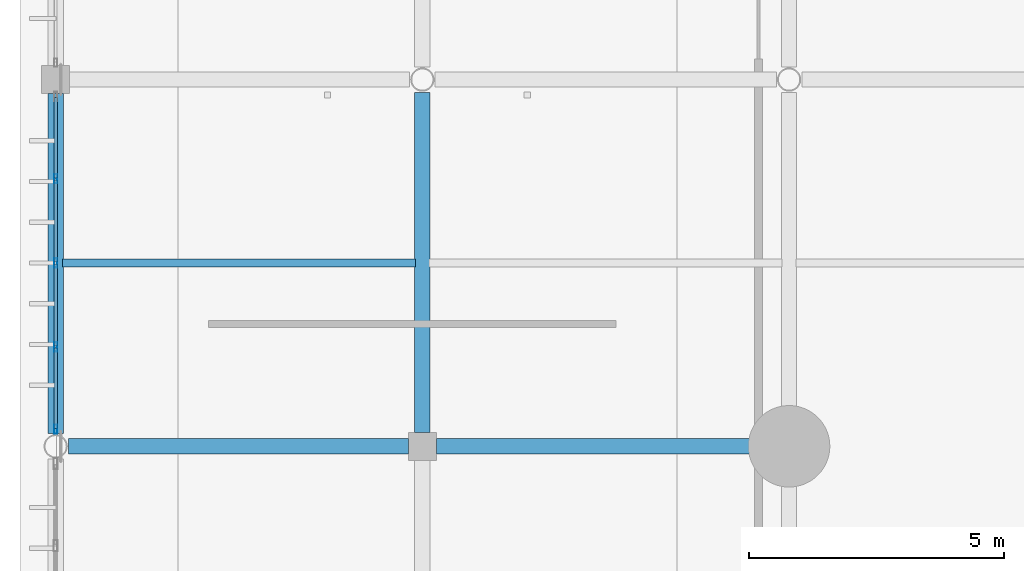
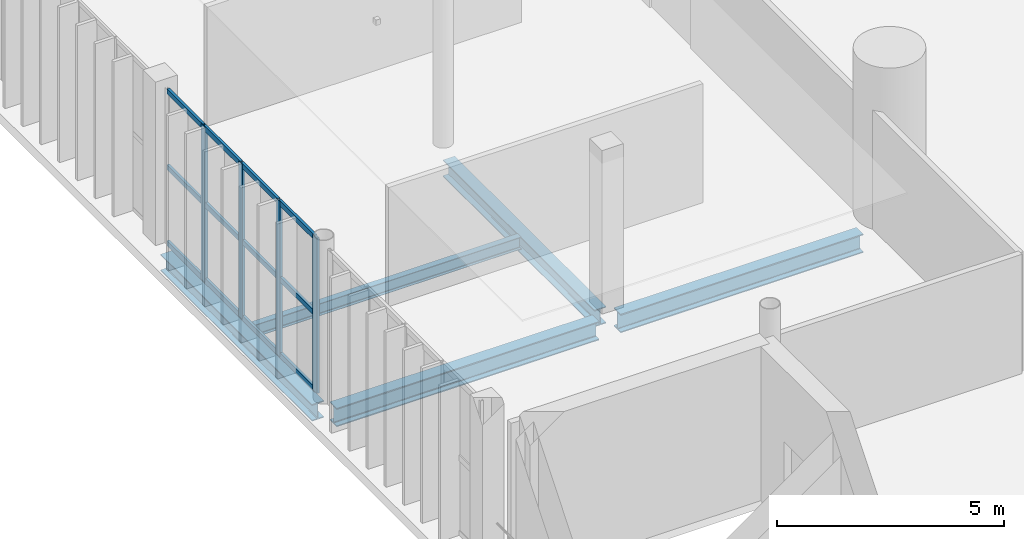
# One storey, part 25 of 81: 16 members, 5 beams, 1 element without a shape of its own.
"""IFC4 building model written with IfcOpenShell, lengths in metres."""

from ifc_helpers import new_model, si_unit, direction, frame, origin, origin_2d, place, context, subcontext, project, spatial, hollow_rectangle, i_section, extrude, material, material_profile, profile_set, type_object, element, aggregate, save


model = new_model("IFC4")

# Units and contexts
model_context = context("Model", 3, precision=1e-05, world=origin(), true_north=direction((0.0, 1.0)))
body_context = subcontext(model_context, "Body", "Model", "MODEL_VIEW")
ifc_project = project(units=[si_unit("LENGTHUNIT", "METRE"), si_unit("AREAUNIT", "SQUARE_METRE"), si_unit("VOLUMEUNIT", "CUBIC_METRE"), si_unit("PLANEANGLEUNIT", "RADIAN"), si_unit("MASSUNIT", "GRAM", prefix="KILO")], contexts=[model_context])

# Site, building, storey
site_placement = place(None, origin())
site = spatial("IfcSite", under=ifc_project, at=site_placement, CompositionType="ELEMENT")
building_placement = place(site_placement, origin())
building = spatial("IfcBuilding", under=site, at=building_placement, Name="Qandorah Velis Arena", CompositionType="ELEMENT")
storey_placement = place(building_placement, frame((0.0, 0.0, 18.60009765625)))
storey = spatial("IfcBuildingStorey", under=building, at=storey_placement, Name="L04", CompositionType="ELEMENT", Elevation=18.60009765625)

# Curtain wall, members
ifc_material_1 = material(Name="Solar-control low-E double glazing", Category="glass")
curtain_wall_type = type_object("IfcCurtainWallType", Name="ARC-CW-SYS10", PredefinedType="USERDEFINED", material=ifc_material_1)
curtain_wall_placement = place(storey_placement, origin())
curtain_wall = element("IfcCurtainWall", 1, at=curtain_wall_placement, inside=storey, type_object=curtain_wall_type, Name="Unitised curtain wall L04-034", ObjectType="UNITISED CURTAIN WALL", PredefinedType="USERDEFINED")
ifc_material_2 = material(Name="Champagne-bronze anodized aluminium 6063-T6", Category="aluminium")
ifc_material_profile_1 = material_profile(ifc_material_2, hollow_rectangle(XDim=0.06494140625, YDim=0.179931640625, WallThickness=0.00341796875, at=origin_2d()), Name="ALU MULLION 65x180")
ifc_profile_set_1 = profile_set([ifc_material_profile_1], Name="Champagne-bronze anodized aluminium 6063-T6")
member_type_1 = type_object("IfcMemberType", Name="ARC-CWM-180", PredefinedType="MULLION", material=ifc_profile_set_1)
member_1_placement = place(storey_placement, frame((0.0, 57.9326171875, -0.01513671875), z_axis=(0.0, 0.0, 1.0), x_axis=(-1.0, 0.0, 0.0)))
member_1 = element("IfcMember", 2, at=member_1_placement, type_object=member_type_1, Name="CW10 mullion 1", PredefinedType="MULLION", context=body_context, shape_type="SweptSolid", body=[
    extrude(hollow_rectangle(XDim=0.06494140625, YDim=0.179931640625, WallThickness=0.00341796875, at=origin_2d()), origin(), (0.0, 0.0, 1.0), 4.179931640625),
])
member_2_placement = place(storey_placement, frame((0.0, 59.550048828125, -0.01513671875), z_axis=(0.0, 0.0, 1.0), x_axis=(-1.0, 0.0, 0.0)))
member_2 = element("IfcMember", 3, at=member_2_placement, type_object=member_type_1, Name="CW10 mullion 2", PredefinedType="MULLION", context=body_context, shape_type="SweptSolid", body=[
    extrude(hollow_rectangle(XDim=0.06494140625, YDim=0.179931640625, WallThickness=0.00341796875, at=origin_2d()), origin(), (0.0, 0.0, 1.0), 4.179931640625),
])
member_3_placement = place(storey_placement, frame((0.0, 61.199951171875, -0.01513671875), z_axis=(0.0, 0.0, 1.0), x_axis=(-1.0, 0.0, 0.0)))
member_3 = element("IfcMember", 4, at=member_3_placement, type_object=member_type_1, Name="CW10 mullion 3", PredefinedType="MULLION", context=body_context, shape_type="SweptSolid", body=[
    extrude(hollow_rectangle(XDim=0.06494140625, YDim=0.179931640625, WallThickness=0.00341796875, at=origin_2d()), origin(), (0.0, 0.0, 1.0), 4.179931640625),
])
member_4_placement = place(storey_placement, frame((0.0, 62.85009765625, -0.01513671875), z_axis=(0.0, 0.0, 1.0), x_axis=(-1.0, 0.0, 0.0)))
member_4 = element("IfcMember", 5, at=member_4_placement, type_object=member_type_1, Name="CW10 mullion 4", PredefinedType="MULLION", context=body_context, shape_type="SweptSolid", body=[
    extrude(hollow_rectangle(XDim=0.06494140625, YDim=0.179931640625, WallThickness=0.00341796875, at=origin_2d()), origin(), (0.0, 0.0, 1.0), 4.179931640625),
])
ifc_material_profile_2 = material_profile(ifc_material_2, hollow_rectangle(XDim=0.06494140625, YDim=0.139892578125, WallThickness=0.0029296875, at=origin_2d()), Name="ALU TRANSOM 65x140")
ifc_profile_set_2 = profile_set([ifc_material_profile_2], Name="Champagne-bronze anodized aluminium 6063-T6")
member_type_2 = type_object("IfcMemberType", Name="ARC-CWT-140", PredefinedType="USERDEFINED", material=ifc_profile_set_2)
member_5_placement = place(storey_placement, frame((0.0, 57.952880859375, 0.032470703125), z_axis=(0.0, 1.0, 0.0), x_axis=(-1.0, 0.0, 0.0)))
member_5 = element("IfcMember", 6, at=member_5_placement, type_object=member_type_2, Name="CW10 transom 1.1", ObjectType="TRANSOM", PredefinedType="USERDEFINED", context=body_context, shape_type="SweptSolid", body=[
    extrude(hollow_rectangle(XDim=0.06494140625, YDim=0.139892578125, WallThickness=0.0029296875, at=origin_2d()), origin(), (0.0, 0.0, 1.0), 1.57666015625),
])
member_6_placement = place(storey_placement, frame((0.0, 57.952880859375, 2.074951171875), z_axis=(0.0, 1.0, 0.0), x_axis=(-1.0, 0.0, 0.0)))
member_6 = element("IfcMember", 7, at=member_6_placement, type_object=member_type_2, Name="CW10 transom 1.2", ObjectType="TRANSOM", PredefinedType="USERDEFINED", context=body_context, shape_type="SweptSolid", body=[
    extrude(hollow_rectangle(XDim=0.06494140625, YDim=0.139892578125, WallThickness=0.0029296875, at=origin_2d()), origin(), (0.0, 0.0, 1.0), 1.57666015625),
])
member_7_placement = place(storey_placement, frame((0.0, 57.952880859375, 4.117431640625), z_axis=(0.0, 1.0, 0.0), x_axis=(-1.0, 0.0, 0.0)))
member_7 = element("IfcMember", 8, at=member_7_placement, type_object=member_type_2, Name="CW10 transom 1.3", ObjectType="TRANSOM", PredefinedType="USERDEFINED", context=body_context, shape_type="SweptSolid", body=[
    extrude(hollow_rectangle(XDim=0.06494140625, YDim=0.139892578125, WallThickness=0.0029296875, at=origin_2d()), origin(), (0.0, 0.0, 1.0), 1.57666015625),
])
member_8_placement = place(storey_placement, frame((0.0, 59.570556640625, 0.032470703125), z_axis=(0.0, 1.0, 0.0), x_axis=(-1.0, 0.0, 0.0)))
member_8 = element("IfcMember", 9, at=member_8_placement, type_object=member_type_2, Name="CW10 transom 2.1", ObjectType="TRANSOM", PredefinedType="USERDEFINED", context=body_context, shape_type="SweptSolid", body=[
    extrude(hollow_rectangle(XDim=0.06494140625, YDim=0.139892578125, WallThickness=0.0029296875, at=origin_2d()), origin(), (0.0, 0.0, 1.0), 1.60888671875),
])
member_9_placement = place(storey_placement, frame((0.0, 59.570556640625, 2.074951171875), z_axis=(0.0, 1.0, 0.0), x_axis=(-1.0, 0.0, 0.0)))
member_9 = element("IfcMember", 10, at=member_9_placement, type_object=member_type_2, Name="CW10 transom 2.2", ObjectType="TRANSOM", PredefinedType="USERDEFINED", context=body_context, shape_type="SweptSolid", body=[
    extrude(hollow_rectangle(XDim=0.06494140625, YDim=0.139892578125, WallThickness=0.0029296875, at=origin_2d()), origin(), (0.0, 0.0, 1.0), 1.60888671875),
])
member_10_placement = place(storey_placement, frame((0.0, 59.570556640625, 4.117431640625), z_axis=(0.0, 1.0, 0.0), x_axis=(-1.0, 0.0, 0.0)))
member_10 = element("IfcMember", 11, at=member_10_placement, type_object=member_type_2, Name="CW10 transom 2.3", ObjectType="TRANSOM", PredefinedType="USERDEFINED", context=body_context, shape_type="SweptSolid", body=[
    extrude(hollow_rectangle(XDim=0.06494140625, YDim=0.139892578125, WallThickness=0.0029296875, at=origin_2d()), origin(), (0.0, 0.0, 1.0), 1.60888671875),
])
member_11_placement = place(storey_placement, frame((0.0, 61.220458984375, 0.032470703125), z_axis=(0.0, 1.0, 0.0), x_axis=(-1.0, 0.0, 0.0)))
member_11 = element("IfcMember", 12, at=member_11_placement, type_object=member_type_2, Name="CW10 transom 3.1", ObjectType="TRANSOM", PredefinedType="USERDEFINED", context=body_context, shape_type="SweptSolid", body=[
    extrude(hollow_rectangle(XDim=0.06494140625, YDim=0.139892578125, WallThickness=0.0029296875, at=origin_2d()), origin(), (0.0, 0.0, 1.0), 1.609130859375),
])
member_12_placement = place(storey_placement, frame((0.0, 61.220458984375, 2.074951171875), z_axis=(0.0, 1.0, 0.0), x_axis=(-1.0, 0.0, 0.0)))
member_12 = element("IfcMember", 13, at=member_12_placement, type_object=member_type_2, Name="CW10 transom 3.2", ObjectType="TRANSOM", PredefinedType="USERDEFINED", context=body_context, shape_type="SweptSolid", body=[
    extrude(hollow_rectangle(XDim=0.06494140625, YDim=0.139892578125, WallThickness=0.0029296875, at=origin_2d()), origin(), (0.0, 0.0, 1.0), 1.609130859375),
])
member_13_placement = place(storey_placement, frame((0.0, 61.220458984375, 4.117431640625), z_axis=(0.0, 1.0, 0.0), x_axis=(-1.0, 0.0, 0.0)))
member_13 = element("IfcMember", 14, at=member_13_placement, type_object=member_type_2, Name="CW10 transom 3.3", ObjectType="TRANSOM", PredefinedType="USERDEFINED", context=body_context, shape_type="SweptSolid", body=[
    extrude(hollow_rectangle(XDim=0.06494140625, YDim=0.139892578125, WallThickness=0.0029296875, at=origin_2d()), origin(), (0.0, 0.0, 1.0), 1.609130859375),
])
member_14_placement = place(storey_placement, frame((0.0, 62.87060546875, 0.032470703125), z_axis=(0.0, 1.0, 0.0), x_axis=(-1.0, 0.0, 0.0)))
member_14 = element("IfcMember", 15, at=member_14_placement, type_object=member_type_2, Name="CW10 transom 4.1", ObjectType="TRANSOM", PredefinedType="USERDEFINED", context=body_context, shape_type="SweptSolid", body=[
    extrude(hollow_rectangle(XDim=0.06494140625, YDim=0.139892578125, WallThickness=0.0029296875, at=origin_2d()), origin(), (0.0, 0.0, 1.0), 1.576416015625),
])
member_15_placement = place(storey_placement, frame((0.0, 62.87060546875, 2.074951171875), z_axis=(0.0, 1.0, 0.0), x_axis=(-1.0, 0.0, 0.0)))
member_15 = element("IfcMember", 16, at=member_15_placement, type_object=member_type_2, Name="CW10 transom 4.2", ObjectType="TRANSOM", PredefinedType="USERDEFINED", context=body_context, shape_type="SweptSolid", body=[
    extrude(hollow_rectangle(XDim=0.06494140625, YDim=0.139892578125, WallThickness=0.0029296875, at=origin_2d()), origin(), (0.0, 0.0, 1.0), 1.576416015625),
])
member_16_placement = place(storey_placement, frame((0.0, 62.87060546875, 4.117431640625), z_axis=(0.0, 1.0, 0.0), x_axis=(-1.0, 0.0, 0.0)))
member_16 = element("IfcMember", 17, at=member_16_placement, type_object=member_type_2, Name="CW10 transom 4.3", ObjectType="TRANSOM", PredefinedType="USERDEFINED", context=body_context, shape_type="SweptSolid", body=[
    extrude(hollow_rectangle(XDim=0.06494140625, YDim=0.139892578125, WallThickness=0.0029296875, at=origin_2d()), origin(), (0.0, 0.0, 1.0), 1.576416015625),
])
aggregate(curtain_wall, [member_1, member_2, member_3, member_4, member_5, member_6, member_7, member_8, member_9, member_10, member_11, member_12, member_13, member_14, member_15, member_16])

# Beams
ifc_material_3 = material(Name="Steel S355", Category="steel")
ifc_material_profile_3 = material_profile(ifc_material_3, i_section(OverallWidth=0.300048828125, OverallDepth=0.449951171875, WebThickness=0.013916015625, FlangeThickness=0.02587890625, FilletRadius=0.027099609375, at=origin_2d()), Name="HEB 450")
ifc_profile_set_3 = profile_set([ifc_material_profile_3], Name="Steel S355")
beam_type_1 = type_object("IfcBeamType", Name="STR-BM-HEB450", PredefinedType="BEAM", material=ifc_profile_set_3)
beam_1_placement = place(storey_placement, frame((0.0, 57.85009765625, -0.4951171875), z_axis=(0.0, 1.0, 0.0), x_axis=(-1.0, 0.0, 0.0)))
element("IfcBeam", 18, at=beam_1_placement, inside=storey, type_object=beam_type_1, Name="Primary floor girder L04 Y-151", PredefinedType="BEAM", context=body_context, shape_type="SweptSolid", body=[
    extrude(i_section(OverallWidth=0.300048828125, OverallDepth=0.449951171875, WebThickness=0.013916015625, FlangeThickness=0.02587890625, FilletRadius=0.027099609375, at=origin_2d()), origin(), (0.0, 0.0, 1.0), 6.6748046875),
])
beam_2_placement = place(storey_placement, frame((7.199951171875, 57.875, -0.4951171875), z_axis=(0.0, 1.0, 0.0), x_axis=(-1.0, 0.0, 0.0)))
element("IfcBeam", 19, at=beam_2_placement, inside=storey, type_object=beam_type_1, Name="Primary floor girder L04 Y-163", PredefinedType="BEAM", context=body_context, shape_type="SweptSolid", body=[
    extrude(i_section(OverallWidth=0.300048828125, OverallDepth=0.449951171875, WebThickness=0.013916015625, FlangeThickness=0.02587890625, FilletRadius=0.027099609375, at=origin_2d()), origin(), (0.0, 0.0, 1.0), 6.675048828125),
])
ifc_material_profile_4 = material_profile(ifc_material_3, i_section(OverallWidth=0.300048828125, OverallDepth=0.5, WebThickness=0.014404296875, FlangeThickness=0.028076171875, FilletRadius=0.027099609375, at=origin_2d()), Name="HEB 500")
ifc_profile_set_4 = profile_set([ifc_material_profile_4], Name="Steel S355")
beam_type_2 = type_object("IfcBeamType", Name="STR-BM-HEB500", PredefinedType="BEAM", material=ifc_profile_set_4)
beam_3_placement = place(storey_placement, frame((0.25, 57.60009765625, -0.52001953125), z_axis=(1.0, 0.0, 0.0), x_axis=(0.0, 1.0, 0.0)))
element("IfcBeam", 20, at=beam_3_placement, inside=storey, type_object=beam_type_2, Name="Primary floor girder L04 X-068", PredefinedType="BEAM", context=body_context, shape_type="SweptSolid", body=[
    extrude(i_section(OverallWidth=0.300048828125, OverallDepth=0.5, WebThickness=0.014404296875, FlangeThickness=0.028076171875, FilletRadius=0.027099609375, at=origin_2d()), origin(), (0.0, 0.0, 1.0), 6.675048828125),
])
beam_4_placement = place(storey_placement, frame((7.47509765625, 57.60009765625, -0.52001953125), z_axis=(1.0, 0.0, 0.0), x_axis=(0.0, 1.0, 0.0)))
element("IfcBeam", 21, at=beam_4_placement, inside=storey, type_object=beam_type_2, Name="Primary floor girder L04 X-069", PredefinedType="BEAM", context=body_context, shape_type="SweptSolid", body=[
    extrude(i_section(OverallWidth=0.300048828125, OverallDepth=0.5, WebThickness=0.014404296875, FlangeThickness=0.028076171875, FilletRadius=0.027099609375, at=origin_2d()), origin(), (0.0, 0.0, 1.0), 6.1748046875),
])
ifc_material_profile_5 = material_profile(ifc_material_3, i_section(OverallWidth=0.159912109375, OverallDepth=0.330078125, WebThickness=0.007568359375, FlangeThickness=0.011474609375, FilletRadius=0.01806640625, at=origin_2d()), Name="IPE 330")
ifc_profile_set_5 = profile_set([ifc_material_profile_5], Name="Steel S355")
beam_type_3 = type_object("IfcBeamType", Name="STR-JST-IPE330", PredefinedType="JOIST", material=ifc_profile_set_5)
beam_5_placement = place(storey_placement, frame((0.135009765625, 61.199951171875, -0.43505859375), z_axis=(1.0, 0.0, 0.0), x_axis=(0.0, 1.0, 0.0)))
element("IfcBeam", 22, at=beam_5_placement, inside=storey, type_object=beam_type_3, Name="Secondary floor joist L04-004", PredefinedType="JOIST", context=body_context, shape_type="SweptSolid", body=[
    extrude(i_section(OverallWidth=0.159912109375, OverallDepth=0.330078125, WebThickness=0.007568359375, FlangeThickness=0.011474609375, FilletRadius=0.01806640625, at=origin_2d()), origin(), (0.0, 0.0, 1.0), 6.929931640625),
])

save(model, "model.ifc")
